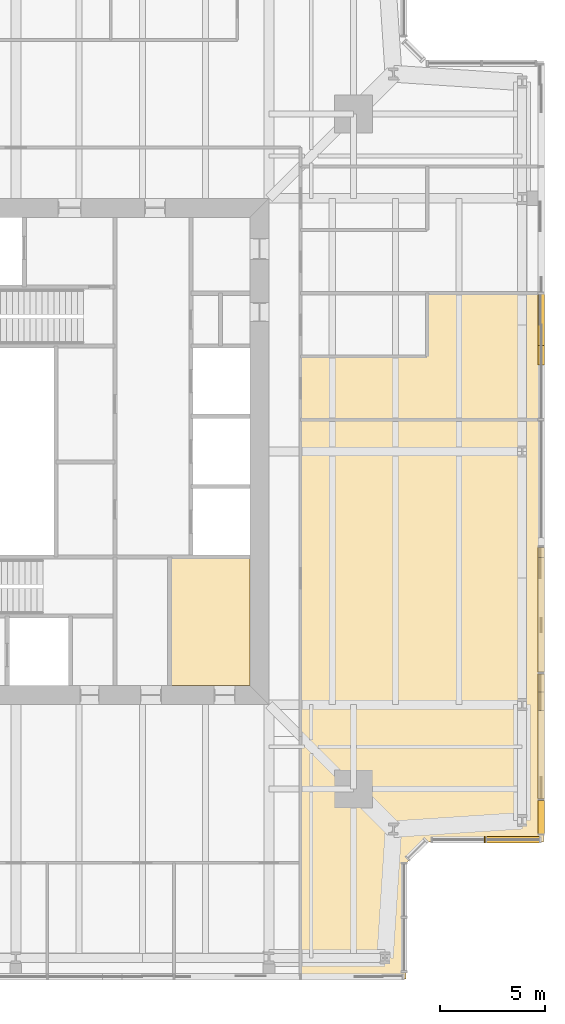
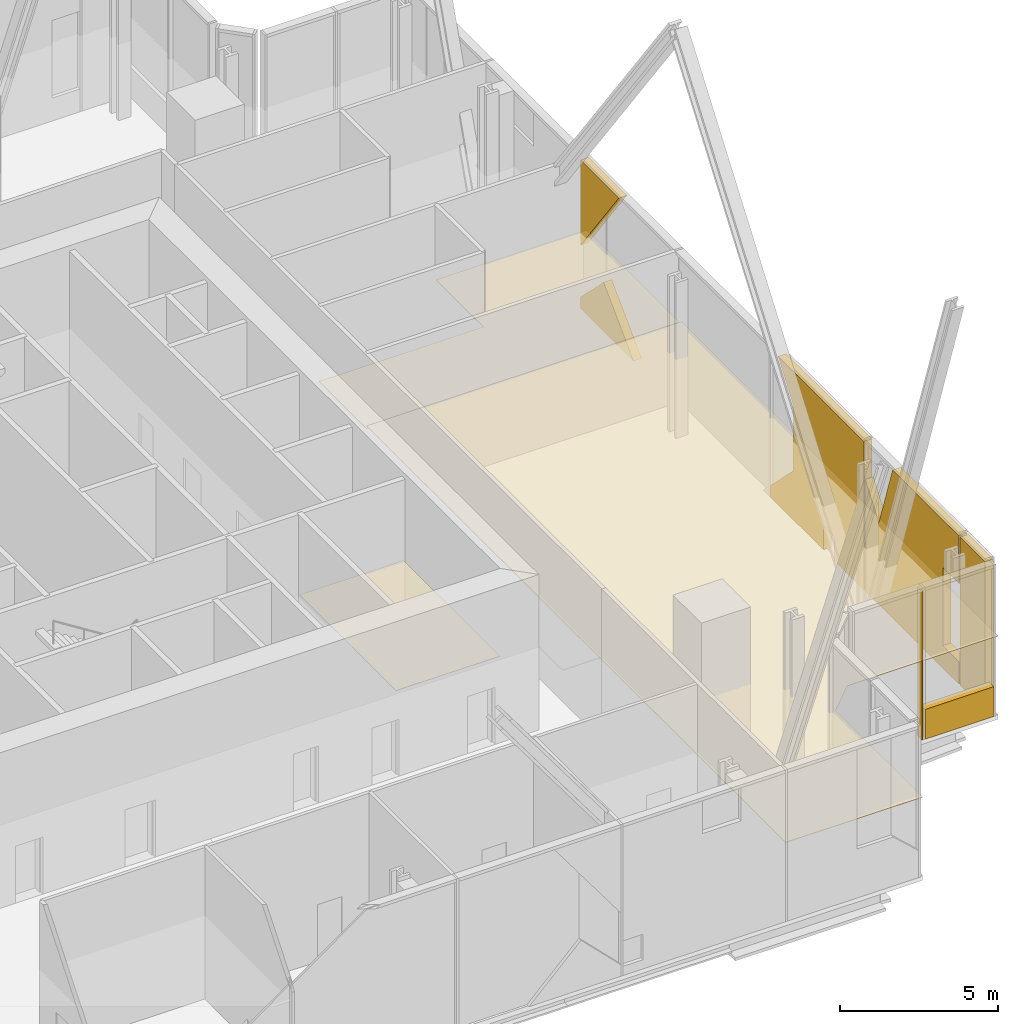
# One storey, part 16 of 20: 10 coverings.
"""IFC4 building model written with IfcOpenShell, lengths in metres."""

from ifc_helpers import new_model, si_unit, direction, frame, origin, place, context, subcontext, project, spatial, polyline, outline, extrude, material, layer, layer_set, type_object, element, save


model = new_model("IFC4")

# Units and contexts
model_context = context("Model", 3, precision=1e-05, world=origin(), true_north=direction((0.0, 1.0)))
body_context = subcontext(model_context, "Body", "Model", "MODEL_VIEW")
ifc_project = project(units=[si_unit("LENGTHUNIT", "METRE"), si_unit("AREAUNIT", "SQUARE_METRE"), si_unit("VOLUMEUNIT", "CUBIC_METRE"), si_unit("PLANEANGLEUNIT", "RADIAN"), si_unit("MASSUNIT", "GRAM", prefix="KILO")], contexts=[model_context])

# Site, building, storey
site_placement = place(None, origin())
site = spatial("IfcSite", under=ifc_project, at=site_placement, CompositionType="ELEMENT")
building_placement = place(site_placement, origin())
building = spatial("IfcBuilding", under=site, at=building_placement, Name="Fenwick Lantern Interchange", CompositionType="ELEMENT")
storey_placement = place(building_placement, frame((0.0, 0.0, 239.800048828125)))
storey = spatial("IfcBuildingStorey", under=building, at=storey_placement, Name="L56", CompositionType="ELEMENT", Elevation=239.800048828125)

# Coverings
ifc_material_1 = material(Name="Mineral fibre acoustic tile on suspended grid")
ifc_layer_1 = layer(ifc_material_1, 0.02001953125)
ifc_layer_set_1 = layer_set([ifc_layer_1], Name="ACOUSTIC TILE CEILING 20")
covering_type_1 = type_object("IfcCoveringType", Name="ACOUSTIC TILE CEILING 20", PredefinedType="CEILING", material=ifc_layer_set_1)
covering_1_placement = place(storey_placement, frame((0.0, 0.0, 3.0)))
element("IfcCovering", 1, at=covering_1_placement, inside=storey, type_object=covering_type_1, Name="Hotel business centre ceiling", PredefinedType="CEILING", context=body_context, shape_type="SweptSolid", body=[
    extrude(outline(polyline([(50.0, 6.5), (50.0, 26.5), (38.5, 26.5), (38.5, 0.0), (43.5, 0.0), (43.5, 5.5), (44.5, 6.5), (50.0, 6.5)])), origin(), (0.0, 0.0, 1.0), 0.02001953125),
])
covering_2_placement = place(storey_placement, frame((0.0, 0.0, 2.89990234375)))
element("IfcCovering", 2, at=covering_2_placement, inside=storey, type_object=covering_type_1, Name="Meeting room ceiling", PredefinedType="CEILING", context=body_context, shape_type="SweptSolid", body=[
    extrude(outline(polyline([(44.5, 32.5), (44.5, 29.5), (38.5, 29.5), (38.5, 26.5), (50.0, 26.5), (50.0, 32.5), (44.5, 32.5)])), origin(), (0.0, 0.0, 1.0), 0.02001953125),
])
ifc_material_2 = material(Name="Granite cladding, warm grey flamed finish, on aluminium carrier frame", Category="masonry")
ifc_layer_2 = layer(ifc_material_2, 0.300048828125)
ifc_layer_set_2 = layer_set([ifc_layer_2], Name="BRACE CASING PANEL 300")
covering_type_2 = type_object("IfcCoveringType", Name="BRACE CASING PANEL 300", PredefinedType="CLADDING", material=ifc_layer_set_2)
covering_3_placement = place(storey_placement, frame((44.45849609375, 6.60009765625, 0.0), z_axis=(0.0, 0.0, 1.0), x_axis=(1.0, 0.0, 0.0)))
element("IfcCovering", 3, at=covering_3_placement, inside=storey, type_object=covering_type_2, Name="Brace casing 04 bay 00a", PredefinedType="CLADDING", context=body_context, shape_type="SweptSolid", body=[
    extrude(outline(polyline([(2.741455078125, 0.0), (2.78076171875, 0.0), (2.78076171875, 5.72998046875), (2.741455078125, 5.72998046875), (2.741455078125, 0.0)])), frame((0.0, 0.14990234375, 0.0), z_axis=(0.0, -1.0, 0.0), x_axis=(1.0, 0.0, 0.0)), (0.0, 0.0, 1.0), 0.300048828125),
])
covering_4_placement = place(storey_placement, frame((44.45849609375, 6.60009765625, 0.0), z_axis=(0.0, 0.0, 1.0), x_axis=(1.0, 0.0, 0.0)))
element("IfcCovering", 4, at=covering_4_placement, inside=storey, type_object=covering_type_2, Name="Brace casing 04 bay 01a", PredefinedType="CLADDING", context=body_context, shape_type="SweptSolid", body=[
    extrude(outline(polyline([(2.860595703125, 0.0), (5.361328125, 0.0), (5.361328125, 1.14990234375), (2.860595703125, 1.14990234375), (2.860595703125, 0.0)])), frame((0.0, 0.14990234375, 0.0), z_axis=(0.0, -1.0, 0.0), x_axis=(1.0, 0.0, 0.0)), (0.0, 0.0, 1.0), 0.300048828125),
])
covering_5_placement = place(storey_placement, frame((49.89990234375, 6.60009765625, 0.0), z_axis=(0.0, 0.0, 1.0), x_axis=(0.0, 1.0, 0.0)))
element("IfcCovering", 5, at=covering_5_placement, inside=storey, type_object=covering_type_2, Name="Brace casing 05 bay 00a", PredefinedType="CLADDING", context=body_context, shape_type="SweptSolid", body=[
    extrude(outline(polyline([(0.280029296875, 0.0), (1.860107421875, 0.0), (1.860107421875, 5.72998046875), (0.280029296875, 5.72998046875), (0.280029296875, 0.0)])), frame((0.0, 0.14990234375, 0.0), z_axis=(0.0, -1.0, 0.0), x_axis=(1.0, 0.0, 0.0)), (0.0, 0.0, 1.0), 0.300048828125),
])
covering_6_placement = place(storey_placement, frame((49.89990234375, 6.60009765625, 0.0), z_axis=(0.0, 0.0, 1.0), x_axis=(0.0, 1.0, 0.0)))
element("IfcCovering", 6, at=covering_6_placement, inside=storey, type_object=covering_type_2, Name="Brace casing 05 bay 01a", PredefinedType="CLADDING", context=body_context, shape_type="SweptSolid", body=[
    extrude(outline(polyline([(1.93994140625, 0.0), (7.860107421875, 0.0), (7.860107421875, 4.320068359375), (7.0, 3.152587890625), (6.1298828125, 5.72998046875), (1.93994140625, 5.72998046875), (1.93994140625, 3.8798828125), (2.955078125, 3.8798828125), (2.955078125, 0.879150390625), (1.93994140625, 0.879150390625), (1.93994140625, 0.0)])), frame((0.0, 0.14990234375, 0.0), z_axis=(0.0, -1.0, 0.0), x_axis=(1.0, 0.0, 0.0)), (0.0, 0.0, 1.0), 0.300048828125),
])
covering_7_placement = place(storey_placement, frame((49.89990234375, 6.60009765625, 0.0), z_axis=(0.0, 0.0, 1.0), x_axis=(0.0, 1.0, 0.0)))
element("IfcCovering", 7, at=covering_7_placement, inside=storey, type_object=covering_type_2, Name="Brace casing 05 bay 02a", PredefinedType="CLADDING", context=body_context, shape_type="SweptSolid", body=[
    extrude(outline(polyline([(7.93994140625, 0.0), (9.8291015625, 0.0), (9.8291015625, 0.923095703125), (10.504150390625, 0.923095703125), (10.504150390625, 0.0), (13.860107421875, 0.0), (13.860107421875, 0.435546875), (12.39990234375, 1.8955078125), (12.39990234375, 4.413330078125), (13.36962890625, 5.72998046875), (7.93994140625, 5.72998046875), (7.93994140625, 0.0)])), frame((0.0, 0.14990234375, 0.0), z_axis=(0.0, -1.0, 0.0), x_axis=(1.0, 0.0, 0.0)), (0.0, 0.0, 1.0), 0.300048828125),
])
covering_8_placement = place(storey_placement, frame((49.89990234375, 6.60009765625, 0.0), z_axis=(0.0, 0.0, 1.0), x_axis=(0.0, 1.0, 0.0)))
element("IfcCovering", 8, at=covering_8_placement, inside=storey, type_object=covering_type_2, Name="Brace casing 05 bay 04a", PredefinedType="CLADDING", context=body_context, shape_type="SweptSolid", body=[
    extrude(outline(polyline([(22.50439453125, 0.0), (25.860107421875, 0.0), (25.860107421875, 0.435546875), (24.39990234375, 1.8955078125), (22.50439453125, 0.0)])), frame((0.0, 0.14990234375, 0.0), z_axis=(0.0, -1.0, 0.0), x_axis=(1.0, 0.0, 0.0)), (0.0, 0.0, 1.0), 0.300048828125),
])
covering_9_placement = place(storey_placement, frame((49.89990234375, 6.60009765625, 2.431396484375), z_axis=(0.0, 0.0, 1.0), x_axis=(0.0, 1.0, 0.0)))
element("IfcCovering", 9, at=covering_9_placement, inside=storey, type_object=covering_type_2, Name="Brace casing 05 bay 04b", PredefinedType="CLADDING", context=body_context, shape_type="SweptSolid", body=[
    extrude(outline(polyline([(25.860107421875, 0.0), (25.860107421875, 3.298583984375), (23.43017578125, 3.298583984375), (25.860107421875, 0.0)])), frame((0.0, 0.14990234375, 0.0), z_axis=(0.0, -1.0, 0.0), x_axis=(1.0, 0.0, 0.0)), (0.0, 0.0, 1.0), 0.300048828125),
])
ifc_material_3 = material(Name="Moisture resistant gypsum board on suspended frame, painted")
ifc_layer_3 = layer(ifc_material_3, 0.014892578125)
ifc_layer_set_3 = layer_set([ifc_layer_3], Name="MOISTURE RESISTANT CEILING 15")
covering_type_3 = type_object("IfcCoveringType", Name="MOISTURE RESISTANT CEILING 15", PredefinedType="CEILING", material=ifc_layer_set_3)
covering_10_placement = place(storey_placement, frame((0.0, 0.0, 2.599853515625)))
element("IfcCovering", 10, at=covering_10_placement, inside=storey, type_object=covering_type_3, Name="Women's WC ceiling", PredefinedType="CEILING", context=body_context, shape_type="SweptSolid", body=[
    extrude(outline(polyline([(32.300048828125, 13.89990234375), (36.10009765625, 13.89990234375), (36.10009765625, 20.0), (32.300048828125, 20.0), (32.300048828125, 13.89990234375)])), origin(), (0.0, 0.0, 1.0), 0.01513671875),
])

save(model, "model.ifc")
